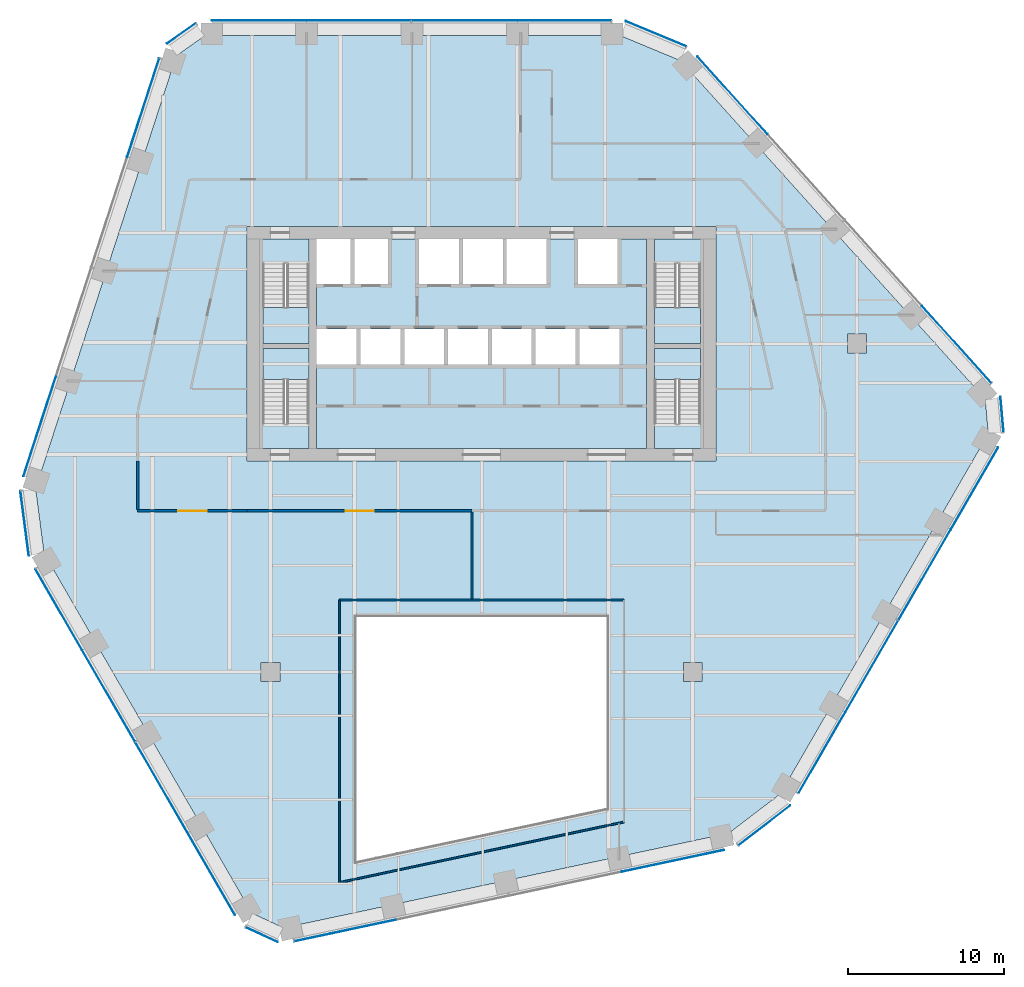
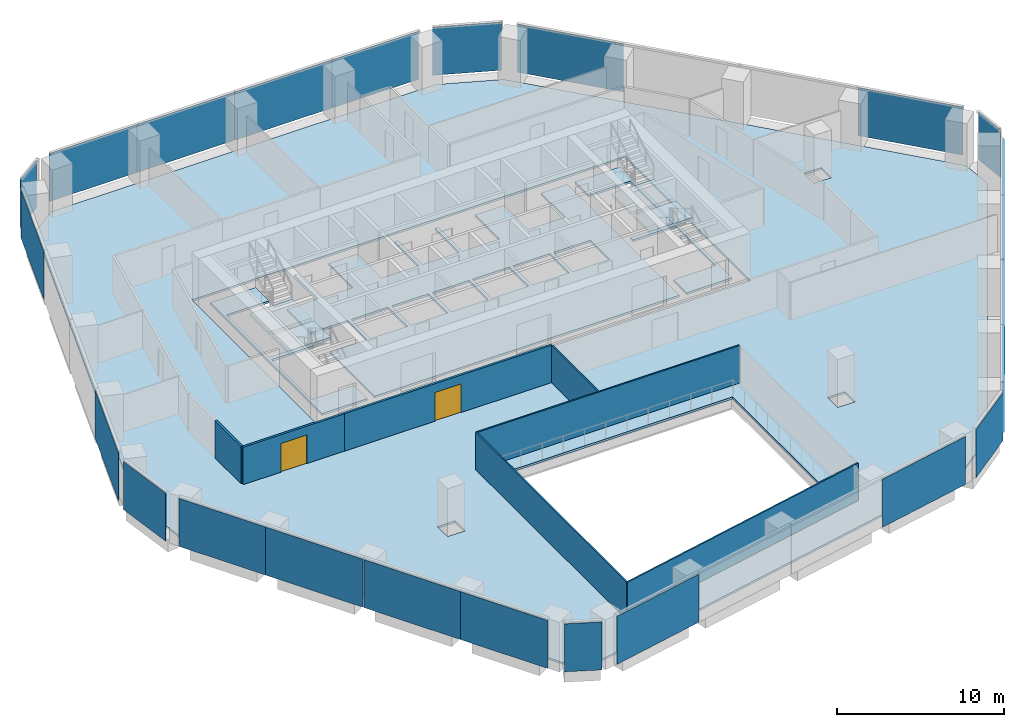
# One storey, part 10 of 16: 24 plates, 8 slabs, 7 walls, 2 doors, 2 openings, 16 elements without a shape of their own.
"""IFC4 building model written with IfcOpenShell, lengths in metres."""

import ifcopenshell
import ifcopenshell.guid

model = None  # the IFC model being written
_history = None  # IfcOwnerHistory: only IFC2X3 demands one
_inside = {}  # id of a spatial element -> (the spatial element, [elements in it])
_under = {}  # id of a project, library or spatial element -> (it, [spatial elements below it])
_declared = {}  # id of a project -> (the project, [libraries it declares])
_typed = {}  # id of a type object -> (the type object, [elements of that type])
_made_of = {}  # id of a material, layer set ... -> (it, [elements and type objects made of it])


def new_model(schema):
    """Start an empty IFC model of exactly this schema.

    Asked for "IFC4X3", IfcOpenShell would pick the latest addendum, in which some entities
    have other attributes; the version numbers below select the first issue.
    IFC2X3 requires an IfcOwnerHistory on every rooted entity: one is made here for all.
    """
    global model, _history
    if schema == "IFC4X3":
        model = ifcopenshell.file(schema_version=(4, 3, 0, 0))
    else:
        model = ifcopenshell.file(schema=schema)
    _inside.clear()
    _under.clear()
    _declared.clear()
    _typed.clear()
    _made_of.clear()
    _history = None
    if model.schema == "IFC2X3":
        org = make("IfcOrganization", Name="unknown")
        user = make(
            "IfcPersonAndOrganization",
            ThePerson=make("IfcPerson", FamilyName="unknown"),
            TheOrganization=org,
        )
        app = make(
            "IfcApplication",
            ApplicationDeveloper=org,
            Version="unknown",
            ApplicationFullName="unknown",
            ApplicationIdentifier="unknown",
        )
        _history = make(
            "IfcOwnerHistory",
            OwningUser=user,
            OwningApplication=app,
            ChangeAction="ADDED",
            CreationDate=0,
        )
    return model


def make(cls, **values):
    """One entity of the class cls with the attributes given. An attribute that is None is left unset."""
    return model.create_entity(
        cls, **{name: value for name, value in values.items() if value is not None}
    )


def rooted(cls, **values):
    """An entity with a GlobalId (a new one), such as an element, a storey or a relation."""
    return make(cls, GlobalId=ifcopenshell.guid.new(), OwnerHistory=_history, **values)


def si_unit(unit_type, name, prefix=None):
    """IfcSIUnit, for example si_unit("LENGTHUNIT", "METRE", prefix="MILLI")."""
    return make("IfcSIUnit", UnitType=unit_type, Prefix=prefix, Name=name)


def assignment(units):
    """IfcUnitAssignment: the units of a project."""
    return None if units is None else make("IfcUnitAssignment", Units=units)


def point(xyz):
    """IfcCartesianPoint."""
    return None if xyz is None else make("IfcCartesianPoint", Coordinates=xyz)


def direction(xyz):
    """IfcDirection."""
    return None if xyz is None else make("IfcDirection", DirectionRatios=xyz)


def frame(location, z_axis=None, x_axis=None):
    """IfcAxis2Placement3D, a coordinate frame: its origin and axes. An axis left out is left unset."""
    return make(
        "IfcAxis2Placement3D",
        Location=point(location),
        Axis=direction(z_axis),
        RefDirection=direction(x_axis),
    )


def frame_2d(location, x_axis=None):
    """IfcAxis2Placement2D, a coordinate frame in the plane: its origin and x axis."""
    return make(
        "IfcAxis2Placement2D", Location=point(location), RefDirection=direction(x_axis)
    )


def origin():
    """The frame at (0, 0, 0) with its axes left unset."""
    return frame((0.0, 0.0, 0.0))


def origin_2d():
    """The frame at (0, 0) in the plane with its x axis left unset."""
    return frame_2d((0.0, 0.0))


def place(relative_to, where):
    """IfcLocalPlacement: puts the frame where relative to a parent placement (None: the world)."""
    return make(
        "IfcLocalPlacement", PlacementRelTo=relative_to, RelativePlacement=where
    )


def context(
    kind, dimensions, precision=None, world=None, true_north=None, identifier=None
):
    """IfcGeometricRepresentationContext, for example the 3D "Model" context."""
    return make(
        "IfcGeometricRepresentationContext",
        ContextIdentifier=identifier,
        ContextType=kind,
        CoordinateSpaceDimension=dimensions,
        Precision=precision,
        WorldCoordinateSystem=world,
        TrueNorth=true_north,
    )


def subcontext(parent, identifier, kind, view, scale=None):
    """IfcGeometricRepresentationSubContext, for example "Body" below "Model"."""
    return make(
        "IfcGeometricRepresentationSubContext",
        ContextIdentifier=identifier,
        ContextType=kind,
        ParentContext=parent,
        TargetScale=scale,
        TargetView=view,
    )


def project(units=None, contexts=None):
    """IfcProject with its units and contexts."""
    return rooted(
        "IfcProject",
        Name="project",
        RepresentationContexts=contexts,
        UnitsInContext=assignment(units),
    )


def spatial(cls, under=None, at=None, **own):
    """A site, building, storey or space (cls), placed at a placement, below another one or the project."""
    s = rooted(cls, ObjectPlacement=at, **own)
    if under is not None:
        _under.setdefault(under.id(), (under, []))[1].append(s)
    return s


def polyline(points):
    """IfcPolyline through the points."""
    return make("IfcPolyline", Points=[point(p) for p in points])


def profile(cls, at=None, kind="AREA", **sizes):
    """A parametric profile (cls). Its sizes go by their IFC names, for example OverallWidth=200.0."""
    return make(cls, ProfileType=kind, Position=at, **sizes)


def rectangle(**sizes):
    """IfcRectangleProfileDef."""
    return profile("IfcRectangleProfileDef", **sizes)


def outline(outer, holes=None, kind="AREA"):
    """IfcArbitraryClosedProfileDef: a profile drawn as a closed curve; with holes, ...WithVoids."""
    if holes is None:
        return make("IfcArbitraryClosedProfileDef", ProfileType=kind, OuterCurve=outer)
    return make(
        "IfcArbitraryProfileDefWithVoids",
        ProfileType=kind,
        OuterCurve=outer,
        InnerCurves=holes,
    )


def extrude(swept, where, along, depth):
    """IfcExtrudedAreaSolid: the profile swept, set in the frame where, extruded along a direction by depth."""
    return make(
        "IfcExtrudedAreaSolid",
        SweptArea=swept,
        Position=where,
        ExtrudedDirection=direction(along),
        Depth=depth,
    )


def shape(context_of_items, identifier, shape_type, items):
    """IfcShapeRepresentation: the items that make up one representation, for example the "Body"."""
    return make(
        "IfcShapeRepresentation",
        ContextOfItems=context_of_items,
        RepresentationIdentifier=identifier,
        RepresentationType=shape_type,
        Items=items,
    )


def material(Name=None, Category=None):
    """IfcMaterial."""
    return make("IfcMaterial", Name=Name, Category=Category)


def layer(
    of_material, thickness, ventilated=None, Name=None, Category=None, Priority=None
):
    """IfcMaterialLayer: one layer of a wall or slab, of a material (None: an air gap)."""
    return make(
        "IfcMaterialLayer",
        Material=of_material,
        LayerThickness=thickness,
        IsVentilated=ventilated,
        Name=Name,
        Category=Category,
        Priority=Priority,
    )


def layer_set(layers, Name=None):
    """IfcMaterialLayerSet."""
    return make("IfcMaterialLayerSet", MaterialLayers=layers, LayerSetName=Name)


def made_of(thing, what):
    """Note that an element or type object is made of a material, layer set ...; save() writes the relation."""
    if what is not None:
        _made_of.setdefault(what.id(), (what, []))[1].append(thing)
    return thing


def type_object(cls, material=None, **own):
    """A type object (cls), such as IfcWallType, which elements share."""
    return made_of(rooted(cls, **own), material)


def element(
    cls,
    number,
    at=None,
    inside=None,
    cuts=None,
    type_object=None,
    material=None,
    context=None,
    identifier="Body",
    shape_type=None,
    held_by="IfcProductDefinitionShape",
    body=None,
    shapes=None,
    **own,
):
    """One element of the class cls, such as IfcWall. Its Tag is "e" and its number.

    at: its placement. inside: the storey or other place that contains it. cuts: it is an
    opening in that element (IfcRelVoidsElement). A single representation is given by context,
    identifier, shape_type and body (its items); several are given by shapes. held_by: the class
    of the entity that holds the representations. save() writes the other relations.
    """
    e = rooted(cls, Tag="e%d" % number, ObjectPlacement=at, **own)
    if body is not None:
        shapes = [shape(context, identifier, shape_type, body)]
    if shapes is not None:
        e.Representation = make(held_by, Representations=shapes)
    if inside is not None:
        _inside.setdefault(inside.id(), (inside, []))[1].append(e)
    if cuts is not None:
        rooted(
            "IfcRelVoidsElement", RelatingBuildingElement=cuts, RelatedOpeningElement=e
        )
    if type_object is not None:
        _typed.setdefault(type_object.id(), (type_object, []))[1].append(e)
    return made_of(e, material)


def fill(opening, filler):
    """IfcRelFillsElement: the door or window that sits in an opening."""
    return rooted(
        "IfcRelFillsElement",
        RelatingOpeningElement=opening,
        RelatedBuildingElement=filler,
    )


def aggregate(whole, parts):
    """IfcRelAggregates: a whole, such as a stair, and the parts it consists of."""
    return rooted("IfcRelAggregates", RelatingObject=whole, RelatedObjects=parts)


def save(model, path):
    """Write the relations noted so far, then the file.

    IfcRelAggregates (storeys below a building ...), IfcRelContainedInSpatialStructure (elements
    in a storey), IfcRelDefinesByType, IfcRelAssociatesMaterial and IfcRelDeclares: one each for
    every whole, place, type object, material and project.
    """
    for whole, parts in _under.values():
        aggregate(whole, parts)
    for where, things in _inside.values():
        rooted(
            "IfcRelContainedInSpatialStructure",
            RelatedElements=things,
            RelatingStructure=where,
        )
    for kind, things in _typed.values():
        rooted("IfcRelDefinesByType", RelatedObjects=things, RelatingType=kind)
    for what, things in _made_of.values():
        rooted("IfcRelAssociatesMaterial", RelatedObjects=things, RelatingMaterial=what)
    for by, libraries in _declared.values():
        rooted("IfcRelDeclares", RelatingContext=by, RelatedDefinitions=libraries)
    model.write(path)


model = new_model("IFC4")

# Units and contexts
model_context = context("Model", 3, precision=1e-05, world=origin(), true_north=direction((0.0, 1.0)))
body_context = subcontext(model_context, "Body", "Model", "MODEL_VIEW")
ifc_project = project(units=[si_unit("LENGTHUNIT", "METRE"), si_unit("AREAUNIT", "SQUARE_METRE"), si_unit("VOLUMEUNIT", "CUBIC_METRE"), si_unit("PLANEANGLEUNIT", "RADIAN"), si_unit("MASSUNIT", "GRAM", prefix="KILO")], contexts=[model_context])

# Site, building, storey
site_placement = place(None, origin())
site = spatial("IfcSite", under=ifc_project, at=site_placement, CompositionType="ELEMENT")
building_placement = place(site_placement, origin())
building = spatial("IfcBuilding", under=site, at=building_placement, Name="Isthmus Gate Tower", CompositionType="ELEMENT")
storey_placement = place(building_placement, frame((0.0, 0.0, 137.10009765625)))
storey = spatial("IfcBuildingStorey", under=building, at=storey_placement, Name="L33", CompositionType="ELEMENT", Elevation=137.10009765625)

# Slabs
ifc_material_1 = material(Name="Concrete f'c 40 MPa", Category="concrete")
ifc_layer_1 = layer(ifc_material_1, 0.14990234375)
ifc_layer_set_1 = layer_set([ifc_layer_1], Name="COMPOSITE FLOOR SLAB 150")
slab_type_1 = type_object("IfcSlabType", Name="COMPOSITE FLOOR SLAB 150", PredefinedType="FLOOR", material=ifc_layer_set_1)
slab_1_placement = place(storey_placement, frame((0.0, 0.0, -0.150146484375)))
element("IfcSlab", 1, at=slab_1_placement, inside=storey, type_object=slab_type_1, Name="str-slab-L33-1", PredefinedType="FLOOR", context=body_context, shape_type="SweptSolid", body=[
    extrude(outline(polyline([(12.72802734375, 25.599365234375), (32.21044921875, 3.9619140625), (32.410400390625, 1.736083984375), (19.116455078125, -21.289306640625), (15.8056640625, -23.822509765625), (-12.674072265625, -29.876220703125), (-14.701416015625, -28.936279296875), (-27.995361328125, -5.91064453125), (-28.53369140625, -1.77685546875), (-19.536376953125, 25.9140625), (-17.708740234375, 27.199951171875), (8.87890625, 27.199951171875), (12.72802734375, 25.599365234375)]), holes=[polyline([(-8.0, -10.0), (-8.0, -25.611083984375), (8.0, -22.210205078125), (8.0, -10.0), (-8.0, -10.0)]), polyline([(-14.10009765625, -12.89990234375), (-14.10009765625, -14.10009765625), (-12.89990234375, -14.10009765625), (-12.89990234375, -12.89990234375), (-14.10009765625, -12.89990234375)]), polyline([(14.10009765625, -12.89990234375), (12.89990234375, -12.89990234375), (12.89990234375, -14.10009765625), (14.10009765625, -14.10009765625), (14.10009765625, -12.89990234375)]), polyline([(-15.0, 15.0), (-15.0, 0.0), (15.0, 0.0), (15.0, 15.0), (-15.0, 15.0)]), polyline([(24.60009765625, 6.89990234375), (24.60009765625, 8.10009765625), (23.39990234375, 8.10009765625), (23.39990234375, 6.89990234375), (24.60009765625, 6.89990234375)])]), origin(), (0.0, 0.0, 1.0), 0.150146484375),
])
ifc_material_2 = material(Name="Concrete f'c 40 MPa", Category="concrete")
ifc_layer_2 = layer(ifc_material_2, 0.14990234375)
ifc_layer_set_2 = layer_set([ifc_layer_2], Name="CORE FLOOR SLAB 150")
slab_type_2 = type_object("IfcSlabType", Name="CORE FLOOR SLAB 150", PredefinedType="FLOOR", material=ifc_layer_set_2)
slab_2_placement = place(storey_placement, frame((0.0, 0.0, -0.150146484375)))
element("IfcSlab", 2, at=slab_2_placement, inside=storey, type_object=slab_type_2, Name="L33 core floor", PredefinedType="FLOOR", context=body_context, shape_type="SweptSolid", body=[
    extrude(outline(polyline([(-11.050048828125, 0.800048828125), (-11.050048828125, 2.402099609375), (-14.0, 2.402099609375), (-14.0, 7.199951171875), (-11.050048828125, 7.199951171875), (-11.050048828125, 7.5), (-14.0, 7.5), (-14.0, 12.597900390625), (-11.050048828125, 12.597900390625), (-11.050048828125, 14.199951171875), (-14.199951171875, 14.199951171875), (-14.199951171875, 0.800048828125), (-11.050048828125, 0.800048828125)])), origin(), (0.0, 0.0, 1.0), 0.150146484375),
])
slab_3_placement = place(storey_placement, frame((0.0, 0.0, -0.150146484375)))
element("IfcSlab", 3, at=slab_3_placement, inside=storey, type_object=slab_type_2, Name="L33 core floor", PredefinedType="FLOOR", context=body_context, shape_type="SweptSolid", body=[
    extrude(outline(polyline([(10.550048828125, 14.199951171875), (8.699951171875, 14.199951171875), (8.699951171875, 11.300048828125), (6.14990234375, 11.300048828125), (6.14990234375, 14.199951171875), (4.14990234375, 14.199951171875), (4.14990234375, 11.300048828125), (1.60009765625, 11.300048828125), (1.60009765625, 14.199951171875), (1.35009765625, 14.199951171875), (1.35009765625, 11.300048828125), (-1.199951171875, 11.300048828125), (-1.199951171875, 14.199951171875), (-1.449951171875, 14.199951171875), (-1.449951171875, 11.300048828125), (-4.0, 11.300048828125), (-4.0, 14.199951171875), (-6.0, 14.199951171875), (-6.0, 11.300048828125), (-8.14990234375, 11.300048828125), (-8.14990234375, 14.199951171875), (-8.39990234375, 14.199951171875), (-8.39990234375, 11.300048828125), (-10.550048828125, 11.300048828125), (-10.550048828125, 8.449951171875), (-8.0, 8.449951171875), (-8.0, 6.14990234375), (-10.550048828125, 6.14990234375), (-10.550048828125, 0.800048828125), (10.550048828125, 0.800048828125), (10.550048828125, 14.199951171875)]), holes=[polyline([(-5.199951171875, 8.449951171875), (-5.199951171875, 6.14990234375), (-7.75, 6.14990234375), (-7.75, 8.449951171875), (-5.199951171875, 8.449951171875)]), polyline([(-2.39990234375, 8.449951171875), (-2.39990234375, 6.14990234375), (-4.949951171875, 6.14990234375), (-4.949951171875, 8.449951171875), (-2.39990234375, 8.449951171875)]), polyline([(0.39990234375, 8.449951171875), (0.39990234375, 6.14990234375), (-2.14990234375, 6.14990234375), (-2.14990234375, 8.449951171875), (0.39990234375, 8.449951171875)]), polyline([(3.199951171875, 8.449951171875), (3.199951171875, 6.14990234375), (0.64990234375, 6.14990234375), (0.64990234375, 8.449951171875), (3.199951171875, 8.449951171875)]), polyline([(6.0, 8.449951171875), (6.0, 6.14990234375), (3.449951171875, 6.14990234375), (3.449951171875, 8.449951171875), (6.0, 8.449951171875)]), polyline([(8.800048828125, 8.449951171875), (8.800048828125, 6.14990234375), (6.25, 6.14990234375), (6.25, 8.449951171875), (8.800048828125, 8.449951171875)])]), origin(), (0.0, 0.0, 1.0), 0.150146484375),
])
slab_4_placement = place(storey_placement, frame((0.0, 0.0, -0.150146484375)))
element("IfcSlab", 4, at=slab_4_placement, inside=storey, type_object=slab_type_2, Name="L33 core floor", PredefinedType="FLOOR", context=body_context, shape_type="SweptSolid", body=[
    extrude(outline(polyline([(11.050048828125, 14.199951171875), (11.050048828125, 12.597900390625), (14.0, 12.597900390625), (14.0, 7.5), (11.050048828125, 7.5), (11.050048828125, 7.199951171875), (14.0, 7.199951171875), (14.0, 2.402099609375), (11.050048828125, 2.402099609375), (11.050048828125, 0.800048828125), (14.199951171875, 0.800048828125), (14.199951171875, 14.199951171875), (11.050048828125, 14.199951171875)])), origin(), (0.0, 0.0, 1.0), 0.150146484375),
])

# Curtain wall, plates
ifc_material_3 = material(Name="Aluminium, pale champagne anodised", Category="aluminium")
ifc_layer_3 = layer(ifc_material_3, 0.199951171875)
ifc_layer_set_3 = layer_set([ifc_layer_3], Name="CW-1 UNITISED CURTAIN WALL 200 DEEP")
curtain_wall_type = type_object("IfcCurtainWallType", Name="CW-1 UNITISED CURTAIN WALL 200 DEEP", PredefinedType="NOTDEFINED", material=ifc_layer_set_3)
curtain_wall_1_placement = place(storey_placement, origin())
curtain_wall_1 = element("IfcCurtainWall", 5, at=curtain_wall_1_placement, inside=storey, type_object=curtain_wall_type, Name="CW-1 N L33", PredefinedType="NOTDEFINED")
ifc_material_4 = material(Name="Laminated low-iron glass, pale blue tint", Category="glass")
ifc_layer_4 = layer(ifc_material_4, 0.035888671875)
ifc_layer_set_4 = layer_set([ifc_layer_4], Name="CW-1 CLEAR GLASS LITE 36")
plate_type = type_object("IfcPlateType", Name="CW-1 CLEAR GLASS LITE 36", PredefinedType="CURTAIN_PANEL", material=ifc_layer_set_4)
plate_1_placement = place(storey_placement, frame((5.283447265625, 28.181884765625, 0.0), z_axis=(0.0, 0.0, 1.0), x_axis=(-1.0, 0.0, 0.0)))
plate_1 = element("IfcPlate", 6, at=plate_1_placement, type_object=plate_type, Name="CW-1 glass lite", PredefinedType="CURTAIN_PANEL", context=body_context, shape_type="SweptSolid", body=[
    extrude(rectangle(XDim=5.990234375, YDim=0.035888671875, at=origin_2d()), origin(), (0.0, 0.0, 1.0), 3.510009765625),
])
plate_2_placement = place(storey_placement, frame((-1.086669921875, 28.181884765625, 0.0), z_axis=(0.0, 0.0, 1.0), x_axis=(-1.0, 0.0, 0.0)))
plate_2 = element("IfcPlate", 7, at=plate_2_placement, type_object=plate_type, Name="CW-1 glass lite", PredefinedType="CURTAIN_PANEL", context=body_context, shape_type="SweptSolid", body=[
    extrude(rectangle(XDim=6.750244140625, YDim=0.035888671875, at=origin_2d()), origin(), (0.0, 0.0, 1.0), 3.510009765625),
])
plate_3_placement = place(storey_placement, frame((-7.86669921875, 28.181884765625, 0.0), z_axis=(0.0, 0.0, 1.0), x_axis=(-1.0, 0.0, 0.0)))
plate_3 = element("IfcPlate", 8, at=plate_3_placement, type_object=plate_type, Name="CW-1 glass lite", PredefinedType="CURTAIN_PANEL", context=body_context, shape_type="SweptSolid", body=[
    extrude(rectangle(XDim=6.690185546875, YDim=0.035888671875, at=origin_2d()), origin(), (0.0, 0.0, 1.0), 3.510009765625),
])
plate_4_placement = place(storey_placement, frame((-14.23681640625, 28.181884765625, 0.0), z_axis=(0.0, 0.0, 1.0), x_axis=(-1.0, 0.0, 0.0)))
plate_4 = element("IfcPlate", 9, at=plate_4_placement, type_object=plate_type, Name="CW-1 glass lite", PredefinedType="CURTAIN_PANEL", context=body_context, shape_type="SweptSolid", body=[
    extrude(rectangle(XDim=6.050048828125, YDim=0.035888671875, at=origin_2d()), origin(), (0.0, 0.0, 1.0), 3.510009765625),
])
aggregate(curtain_wall_1, [plate_1, plate_2, plate_3, plate_4])

# Curtain wall, plate
curtain_wall_2_placement = place(storey_placement, origin())
curtain_wall_2 = element("IfcCurtainWall", 10, at=curtain_wall_2_placement, inside=storey, type_object=curtain_wall_type, Name="CW-1 N-NW L33", PredefinedType="NOTDEFINED")
plate_5_placement = place(storey_placement, frame((-19.2119140625, 27.343017578125, 0.0), z_axis=(0.0, 0.0, 1.0), x_axis=(-0.81785959165, -0.57541783805, 0.0)))
plate_5 = element("IfcPlate", 11, at=plate_5_placement, type_object=plate_type, Name="CW-1 glass lite", PredefinedType="CURTAIN_PANEL", context=body_context, shape_type="SweptSolid", body=[
    extrude(rectangle(XDim=2.258544921875, YDim=0.035888671875, at=origin_2d()), origin(), (0.0, 0.0, 1.0), 3.510009765625),
])
aggregate(curtain_wall_2, [plate_5])

# Curtain wall, plates
curtain_wall_3_placement = place(storey_placement, origin())
curtain_wall_3 = element("IfcCurtainWall", 12, at=curtain_wall_3_placement, inside=storey, type_object=curtain_wall_type, Name="CW-1 NW L33", PredefinedType="NOTDEFINED")
plate_6_placement = place(storey_placement, frame((-21.647216796875, 22.59521484375, 0.0), z_axis=(0.0, 0.0, 1.0), x_axis=(-0.309016994375, -0.951056516295, 0.0)))
plate_6 = element("IfcPlate", 13, at=plate_6_placement, type_object=plate_type, Name="CW-1 glass lite", PredefinedType="CURTAIN_PANEL", context=body_context, shape_type="SweptSolid", body=[
    extrude(rectangle(XDim=6.630859375, YDim=0.035888671875, at=origin_2d()), origin(), (0.0, 0.0, 1.0), 3.510009765625),
])
plate_7_placement = place(storey_placement, frame((-28.2734375, 2.202392578125, 0.0), z_axis=(0.0, 0.0, 1.0), x_axis=(-0.309016994375, -0.951056516295, 0.0)))
plate_7 = element("IfcPlate", 14, at=plate_7_placement, type_object=plate_type, Name="CW-1 glass lite", PredefinedType="CURTAIN_PANEL", context=body_context, shape_type="SweptSolid", body=[
    extrude(rectangle(XDim=6.690673828125, YDim=0.035888671875, at=origin_2d()), origin(), (0.0, 0.0, 1.0), 3.510009765625),
])
aggregate(curtain_wall_3, [plate_6, plate_7])

# Curtain wall, plate
curtain_wall_4_placement = place(storey_placement, origin())
curtain_wall_4 = element("IfcCurtainWall", 15, at=curtain_wall_4_placement, inside=storey, type_object=curtain_wall_type, Name="CW-1 NW-SW L33", PredefinedType="NOTDEFINED")
plate_8_placement = place(storey_placement, frame((-29.234619140625, -3.9990234375, 0.0), z_axis=(0.0, 0.0, 1.0), x_axis=(0.129164534, -0.991623175988, 0.0)))
plate_8 = element("IfcPlate", 16, at=plate_8_placement, type_object=plate_type, Name="CW-1 glass lite", PredefinedType="CURTAIN_PANEL", context=body_context, shape_type="SweptSolid", body=[
    extrude(rectangle(XDim=4.181396484375, YDim=0.035888671875, at=origin_2d()), origin(), (0.0, 0.0, 1.0), 3.510009765625),
])
aggregate(curtain_wall_4, [plate_8])

# Curtain wall, plates
curtain_wall_5_placement = place(storey_placement, origin())
curtain_wall_5 = element("IfcCurtainWall", 17, at=curtain_wall_5_placement, inside=storey, type_object=curtain_wall_type, Name="CW-1 SW L33", PredefinedType="NOTDEFINED")
plate_9_placement = place(storey_placement, frame((-27.048095703125, -9.515380859375, 0.0), z_axis=(0.0, 0.0, 1.0), x_axis=(0.5, -0.866025403784, 0.0)))
plate_9 = element("IfcPlate", 18, at=plate_9_placement, type_object=plate_type, Name="CW-1 glass lite", PredefinedType="CURTAIN_PANEL", context=body_context, shape_type="SweptSolid", body=[
    extrude(rectangle(XDim=5.990234375, YDim=0.035888671875, at=origin_2d()), origin(), (0.0, 0.0, 1.0), 3.510009765625),
])
plate_10_placement = place(storey_placement, frame((-23.863037109375, -15.031982421875, 0.0), z_axis=(0.0, 0.0, 1.0), x_axis=(0.5, -0.866025403784, 0.0)))
plate_10 = element("IfcPlate", 19, at=plate_10_placement, type_object=plate_type, Name="CW-1 glass lite", PredefinedType="CURTAIN_PANEL", context=body_context, shape_type="SweptSolid", body=[
    extrude(rectangle(XDim=6.750244140625, YDim=0.035888671875, at=origin_2d()), origin(), (0.0, 0.0, 1.0), 3.510009765625),
])
plate_11_placement = place(storey_placement, frame((-20.472900390625, -20.90380859375, 0.0), z_axis=(0.0, 0.0, 1.0), x_axis=(0.5, -0.866025403784, 0.0)))
plate_11 = element("IfcPlate", 20, at=plate_11_placement, type_object=plate_type, Name="CW-1 glass lite", PredefinedType="CURTAIN_PANEL", context=body_context, shape_type="SweptSolid", body=[
    extrude(rectangle(XDim=6.690185546875, YDim=0.035888671875, at=origin_2d()), origin(), (0.0, 0.0, 1.0), 3.510009765625),
])
plate_12_placement = place(storey_placement, frame((-17.287841796875, -26.42041015625, 0.0), z_axis=(0.0, 0.0, 1.0), x_axis=(0.5, -0.866025403784, 0.0)))
plate_12 = element("IfcPlate", 21, at=plate_12_placement, type_object=plate_type, Name="CW-1 glass lite", PredefinedType="CURTAIN_PANEL", context=body_context, shape_type="SweptSolid", body=[
    extrude(rectangle(XDim=6.050048828125, YDim=0.035888671875, at=origin_2d()), origin(), (0.0, 0.0, 1.0), 3.510009765625),
])
aggregate(curtain_wall_5, [plate_9, plate_10, plate_11, plate_12])

# Curtain wall, plate
curtain_wall_6_placement = place(storey_placement, origin())
curtain_wall_6 = element("IfcCurtainWall", 22, at=curtain_wall_6_placement, inside=storey, type_object=curtain_wall_type, Name="CW-1 SW-S L33", PredefinedType="NOTDEFINED")
plate_13_placement = place(storey_placement, frame((-14.07373046875, -30.3095703125, 0.0), z_axis=(0.0, 0.0, 1.0), x_axis=(0.907256261367, -0.420578264073, 0.0)))
plate_13 = element("IfcPlate", 23, at=plate_13_placement, type_object=plate_type, Name="CW-1 glass lite", PredefinedType="CURTAIN_PANEL", context=body_context, shape_type="SweptSolid", body=[
    extrude(rectangle(XDim=2.258544921875, YDim=0.035888671875, at=origin_2d()), origin(), (0.0, 0.0, 1.0), 3.510009765625),
])
aggregate(curtain_wall_6, [plate_13])

# Curtain wall, plates
curtain_wall_7_placement = place(storey_placement, origin())
curtain_wall_7 = element("IfcCurtainWall", 24, at=curtain_wall_7_placement, inside=storey, type_object=curtain_wall_type, Name="CW-1 S L33", PredefinedType="NOTDEFINED")
plate_14_placement = place(storey_placement, frame((-8.744384765625, -30.044677734375, 0.0), z_axis=(0.0, 0.0, 1.0), x_axis=(0.978147600734, 0.207911690818, 0.0)))
plate_14 = element("IfcPlate", 25, at=plate_14_placement, type_object=plate_type, Name="CW-1 glass lite", PredefinedType="CURTAIN_PANEL", context=body_context, shape_type="SweptSolid", body=[
    extrude(rectangle(XDim=6.630859375, YDim=0.035888671875, at=origin_2d()), origin(), (0.0, 0.0, 1.0), 3.510009765625),
])
plate_15_placement = place(storey_placement, frame((12.2294921875, -25.586669921875, 0.0), z_axis=(0.0, 0.0, 1.0), x_axis=(0.978147600734, 0.207911690818, 0.0)))
plate_15 = element("IfcPlate", 26, at=plate_15_placement, type_object=plate_type, Name="CW-1 glass lite", PredefinedType="CURTAIN_PANEL", context=body_context, shape_type="SweptSolid", body=[
    extrude(rectangle(XDim=6.690673828125, YDim=0.035888671875, at=origin_2d()), origin(), (0.0, 0.0, 1.0), 3.510009765625),
])
aggregate(curtain_wall_7, [plate_14, plate_15])

# Curtain wall, plate
curtain_wall_8_placement = place(storey_placement, origin())
curtain_wall_8 = element("IfcCurtainWall", 27, at=curtain_wall_8_placement, inside=storey, type_object=curtain_wall_type, Name="CW-1 S-SE L33", PredefinedType="NOTDEFINED")
plate_16_placement = place(storey_placement, frame((18.08056640625, -23.318359375, 0.0), z_axis=(0.0, 0.0, 1.0), x_axis=(0.794188594387, 0.607671355706, 0.0)))
plate_16 = element("IfcPlate", 28, at=plate_16_placement, type_object=plate_type, Name="CW-1 glass lite", PredefinedType="CURTAIN_PANEL", context=body_context, shape_type="SweptSolid", body=[
    extrude(rectangle(XDim=4.181396484375, YDim=0.035888671875, at=origin_2d()), origin(), (0.0, 0.0, 1.0), 3.510009765625),
])
aggregate(curtain_wall_8, [plate_16])

# Curtain wall, plates
curtain_wall_9_placement = place(storey_placement, origin())
curtain_wall_9 = element("IfcCurtainWall", 29, at=curtain_wall_9_placement, inside=storey, type_object=curtain_wall_type, Name="CW-1 SE L33", PredefinedType="NOTDEFINED")
plate_17_placement = place(storey_placement, frame((21.7646484375, -18.666748046875, 0.0), z_axis=(0.0, 0.0, 1.0), x_axis=(0.5, 0.866025403784, 0.0)))
plate_17 = element("IfcPlate", 30, at=plate_17_placement, type_object=plate_type, Name="CW-1 glass lite", PredefinedType="CURTAIN_PANEL", context=body_context, shape_type="SweptSolid", body=[
    extrude(rectangle(XDim=5.990234375, YDim=0.035888671875, at=origin_2d()), origin(), (0.0, 0.0, 1.0), 3.510009765625),
])
plate_18_placement = place(storey_placement, frame((24.94970703125, -13.14990234375, 0.0), z_axis=(0.0, 0.0, 1.0), x_axis=(0.5, 0.866025403784, 0.0)))
plate_18 = element("IfcPlate", 31, at=plate_18_placement, type_object=plate_type, Name="CW-1 glass lite", PredefinedType="CURTAIN_PANEL", context=body_context, shape_type="SweptSolid", body=[
    extrude(rectangle(XDim=6.750244140625, YDim=0.035888671875, at=origin_2d()), origin(), (0.0, 0.0, 1.0), 3.510009765625),
])
plate_19_placement = place(storey_placement, frame((28.339599609375, -7.278076171875, 0.0), z_axis=(0.0, 0.0, 1.0), x_axis=(0.5, 0.866025403784, 0.0)))
plate_19 = element("IfcPlate", 32, at=plate_19_placement, type_object=plate_type, Name="CW-1 glass lite", PredefinedType="CURTAIN_PANEL", context=body_context, shape_type="SweptSolid", body=[
    extrude(rectangle(XDim=6.690185546875, YDim=0.035888671875, at=origin_2d()), origin(), (0.0, 0.0, 1.0), 3.510009765625),
])
plate_20_placement = place(storey_placement, frame((31.524658203125, -1.761474609375, 0.0), z_axis=(0.0, 0.0, 1.0), x_axis=(0.5, 0.866025403784, 0.0)))
plate_20 = element("IfcPlate", 33, at=plate_20_placement, type_object=plate_type, Name="CW-1 glass lite", PredefinedType="CURTAIN_PANEL", context=body_context, shape_type="SweptSolid", body=[
    extrude(rectangle(XDim=6.050048828125, YDim=0.035888671875, at=origin_2d()), origin(), (0.0, 0.0, 1.0), 3.510009765625),
])
aggregate(curtain_wall_9, [plate_17, plate_18, plate_19, plate_20])

# Curtain wall, plate
curtain_wall_10_placement = place(storey_placement, origin())
curtain_wall_10 = element("IfcCurtainWall", 34, at=curtain_wall_10_placement, inside=storey, type_object=curtain_wall_type, Name="CW-1 SE-NE L33", PredefinedType="NOTDEFINED")
plate_21_placement = place(storey_placement, frame((33.285888671875, 2.966552734375, 0.0), z_axis=(0.0, 0.0, 1.0), x_axis=(-0.089396669717, 0.995996102123, 0.0)))
plate_21 = element("IfcPlate", 35, at=plate_21_placement, type_object=plate_type, Name="CW-1 glass lite", PredefinedType="CURTAIN_PANEL", context=body_context, shape_type="SweptSolid", body=[
    extrude(rectangle(XDim=2.258544921875, YDim=0.035888671875, at=origin_2d()), origin(), (0.0, 0.0, 1.0), 3.510009765625),
])
aggregate(curtain_wall_10, [plate_21])

# Curtain wall, plates
curtain_wall_11_placement = place(storey_placement, origin())
curtain_wall_11 = element("IfcCurtainWall", 36, at=curtain_wall_11_placement, inside=storey, type_object=curtain_wall_type, Name="CW-1 NE L33", PredefinedType="NOTDEFINED")
plate_22_placement = place(storey_placement, frame((30.3916015625, 7.449462890625, 0.0), z_axis=(0.0, 0.0, 1.0), x_axis=(-0.669130606359, 0.743144825477, 0.0)))
plate_22 = element("IfcPlate", 37, at=plate_22_placement, type_object=plate_type, Name="CW-1 glass lite", PredefinedType="CURTAIN_PANEL", context=body_context, shape_type="SweptSolid", body=[
    extrude(rectangle(XDim=6.630859375, YDim=0.035888671875, at=origin_2d()), origin(), (0.0, 0.0, 1.0), 3.510009765625),
])
plate_23_placement = place(storey_placement, frame((16.0439453125, 23.38427734375, 0.0), z_axis=(0.0, 0.0, 1.0), x_axis=(-0.669130606359, 0.743144825477, 0.0)))
plate_23 = element("IfcPlate", 38, at=plate_23_placement, type_object=plate_type, Name="CW-1 glass lite", PredefinedType="CURTAIN_PANEL", context=body_context, shape_type="SweptSolid", body=[
    extrude(rectangle(XDim=6.690673828125, YDim=0.035888671875, at=origin_2d()), origin(), (0.0, 0.0, 1.0), 3.510009765625),
])
aggregate(curtain_wall_11, [plate_22, plate_23])

# Curtain wall, plate
curtain_wall_12_placement = place(storey_placement, origin())
curtain_wall_12 = element("IfcCurtainWall", 39, at=curtain_wall_12_placement, inside=storey, type_object=curtain_wall_type, Name="CW-1 NE-N L33", PredefinedType="NOTDEFINED")
plate_24_placement = place(storey_placement, frame((11.154052734375, 27.3173828125, 0.0), z_axis=(0.0, 0.0, 1.0), x_axis=(-0.923353128387, 0.383951820282, 0.0)))
plate_24 = element("IfcPlate", 40, at=plate_24_placement, type_object=plate_type, Name="CW-1 glass lite", PredefinedType="CURTAIN_PANEL", context=body_context, shape_type="SweptSolid", body=[
    extrude(rectangle(XDim=4.181396484375, YDim=0.035888671875, at=origin_2d()), origin(), (0.0, 0.0, 1.0), 3.510009765625),
])
aggregate(curtain_wall_12, [plate_24])

# Stair, slab
ifc_material_5 = material(Name="Concrete f'c 40 MPa", Category="concrete")
stair_type = type_object("IfcStairType", Name="CORE STAIR 22 RISERS", PredefinedType="HALF_TURN_STAIR", material=ifc_material_5)
stair_1_placement = place(storey_placement, origin())
stair_1 = element("IfcStair", 41, at=stair_1_placement, inside=storey, type_object=stair_type, Name="L33 Exit Stair 1", PredefinedType="HALF_TURN_STAIR")
ifc_material_6 = material(Name="Concrete f'c 40 MPa", Category="concrete")
ifc_layer_5 = layer(ifc_material_6, 0.199951171875)
ifc_layer_set_5 = layer_set([ifc_layer_5])
slab_type_3 = type_object("IfcSlabType", Name="STAIR LANDING RC 200", PredefinedType="LANDING", material=ifc_layer_set_5)
slab_5_placement = place(storey_placement, frame((0.0, 0.0, 1.625)))
slab_5 = element("IfcSlab", 42, at=slab_5_placement, type_object=slab_type_3, Name="ST1 landing 1", PredefinedType="LANDING", context=body_context, shape_type="SweptSolid", body=[
    extrude(outline(polyline([(-14.0, 9.800048828125), (-14.0, 7.5), (-11.050048828125, 7.5), (-11.050048828125, 9.800048828125), (-14.0, 9.800048828125)])), origin(), (0.0, 0.0, 1.0), 0.199951171875),
])
aggregate(stair_1, [slab_5])

stair_2_placement = place(storey_placement, origin())
stair_2 = element("IfcStair", 43, at=stair_2_placement, inside=storey, type_object=stair_type, Name="L33 Exit Stair 2", PredefinedType="HALF_TURN_STAIR")
slab_6_placement = place(storey_placement, frame((0.0, 0.0, 1.625)))
slab_6 = element("IfcSlab", 44, at=slab_6_placement, type_object=slab_type_3, Name="ST2 landing 1", PredefinedType="LANDING", context=body_context, shape_type="SweptSolid", body=[
    extrude(outline(polyline([(11.050048828125, 9.800048828125), (11.050048828125, 7.5), (14.0, 7.5), (14.0, 9.800048828125), (11.050048828125, 9.800048828125)])), origin(), (0.0, 0.0, 1.0), 0.199951171875),
])
aggregate(stair_2, [slab_6])

stair_3_placement = place(storey_placement, origin())
stair_3 = element("IfcStair", 45, at=stair_3_placement, inside=storey, type_object=stair_type, Name="L33 Exit Stair 7", PredefinedType="HALF_TURN_STAIR")
slab_7_placement = place(storey_placement, frame((0.0, 0.0, 1.625)))
slab_7 = element("IfcSlab", 46, at=slab_7_placement, type_object=slab_type_3, Name="ST7 landing 1", PredefinedType="LANDING", context=body_context, shape_type="SweptSolid", body=[
    extrude(outline(polyline([(-11.050048828125, 5.199951171875), (-11.050048828125, 7.199951171875), (-14.0, 7.199951171875), (-14.0, 5.199951171875), (-11.050048828125, 5.199951171875)])), origin(), (0.0, 0.0, 1.0), 0.199951171875),
])
aggregate(stair_3, [slab_7])

stair_4_placement = place(storey_placement, origin())
stair_4 = element("IfcStair", 47, at=stair_4_placement, inside=storey, type_object=stair_type, Name="L33 Exit Stair 8", PredefinedType="HALF_TURN_STAIR")
slab_8_placement = place(storey_placement, frame((0.0, 0.0, 1.625)))
slab_8 = element("IfcSlab", 48, at=slab_8_placement, type_object=slab_type_3, Name="ST8 landing 1", PredefinedType="LANDING", context=body_context, shape_type="SweptSolid", body=[
    extrude(outline(polyline([(14.0, 5.199951171875), (14.0, 7.199951171875), (11.050048828125, 7.199951171875), (11.050048828125, 5.199951171875), (14.0, 5.199951171875)])), origin(), (0.0, 0.0, 1.0), 0.199951171875),
])
aggregate(stair_4, [slab_8])

# Walls
ifc_material_7 = material(Name="Fire-rated laminated glass in steel frame", Category="steel")
ifc_layer_6 = layer(ifc_material_7, 0.10009765625)
ifc_layer_set_6 = layer_set([ifc_layer_6], Name="ATRIUM SCREEN GLAZED WALL 100 120 MIN")
wall_type_1 = type_object("IfcWallType", Name="ATRIUM SCREEN GLAZED WALL 100 120 MIN", PredefinedType="PARTITIONING", material=ifc_layer_set_6)
wall_1_placement = place(storey_placement, frame((-9.10009765625, -8.89990234375, 0.0), z_axis=(0.0, 0.0, 1.0), x_axis=(1.0, 0.0, 0.0)))
element("IfcWall", 49, at=wall_1_placement, inside=storey, type_object=wall_type_1, Name="L33 atrium screen", PredefinedType="PARTITIONING", context=body_context, shape_type="SweptSolid", body=[
    extrude(rectangle(XDim=18.2001953125, YDim=0.10009765625, at=frame_2d((9.10009765625, 0.0))), origin(), (0.0, 0.0, 1.0), 2.7412109375),
])
wall_2_placement = place(storey_placement, frame((9.10009765625, -23.100830078125, 0.0), z_axis=(0.0, 0.0, 1.0), x_axis=(-0.978146710971, -0.207915876778, 0.0)))
element("IfcWall", 50, at=wall_2_placement, inside=storey, type_object=wall_type_1, Name="L33 atrium screen", PredefinedType="PARTITIONING", context=body_context, shape_type="SweptSolid", body=[
    extrude(rectangle(XDim=18.60693359375, YDim=0.10009765625, at=frame_2d((9.303466796875, 0.0))), origin(), (0.0, 0.0, 1.0), 2.7412109375),
])
wall_3_placement = place(storey_placement, frame((-9.10009765625, -26.969482421875, 0.0), z_axis=(0.0, 0.0, 1.0), x_axis=(0.0, 1.0, 0.0)))
element("IfcWall", 51, at=wall_3_placement, inside=storey, type_object=wall_type_1, Name="L33 atrium screen", PredefinedType="PARTITIONING", context=body_context, shape_type="SweptSolid", body=[
    extrude(rectangle(XDim=18.069580078125, YDim=0.10009765625, at=frame_2d((9.03466796875, 0.0))), origin(), (0.0, 0.0, 1.0), 2.7412109375),
])

# Wall, opening, door
ifc_material_8 = material(Name="Gypsum board on steel studs, fire-rated", Category="steel")
ifc_layer_7 = layer(ifc_material_8, 0.14990234375)
ifc_layer_set_7 = layer_set([ifc_layer_7], Name="CORRIDOR WALL 150 60 MIN")
wall_type_2 = type_object("IfcWallType", Name="CORRIDOR WALL 150 60 MIN", PredefinedType="PARTITIONING", material=ifc_layer_set_7)
wall_4_placement = place(storey_placement, frame((-0.616943359375, -3.199951171875, 0.0), z_axis=(0.0, 0.0, 1.0), x_axis=(-1.0, 0.0, 0.0)))
wall_4 = element("IfcWall", 52, at=wall_4_placement, inside=storey, type_object=wall_type_2, Name="L33 Corridor Wall 150 60 Min", PredefinedType="PARTITIONING", context=body_context, shape_type="SweptSolid", body=[
    extrude(rectangle(XDim=14.383056640625, YDim=0.14990234375, at=frame_2d((7.19140625, 0.0))), origin(), (0.0, 0.0, 1.0), 2.7412109375),
])
opening_1_placement = place(wall_4_placement, frame((6.29150390625, 0.0, 0.0)))
opening_1 = element("IfcOpeningElement", 53, at=opening_1_placement, cuts=wall_4, Name="Opening DT-T3B-11", PredefinedType="OPENING", context=body_context, shape_type="SweptSolid", body=[
    extrude(rectangle(XDim=1.800048828125, YDim=2.10009765625, at=frame_2d((0.89990234375, 1.050048828125))), frame((0.0, 0.0849609375, 0.0), z_axis=(0.0, -1.0, 0.0), x_axis=(1.0, 0.0, 0.0)), (0.0, 0.0, 1.0), 0.169921875),
])
ifc_material_9 = material(Name="Solid core timber door leaf, fire-rated", Category="wood")
door_type = type_object("IfcDoorType", Name="FIRE DOOR ROOM 1800 X 2100 60 MIN", OperationType="DOUBLE_DOOR_DOUBLE_SWING", PredefinedType="DOOR", material=ifc_material_9)
door_1_placement = place(opening_1_placement, origin())
door_1 = element("IfcDoor", 54, at=door_1_placement, inside=storey, type_object=door_type, Name="L33 room door", OperationType="DOUBLE_DOOR_DOUBLE_SWING", OverallHeight=2.10009765625, OverallWidth=1.800048828125, PredefinedType="DOOR", context=body_context, shape_type="SweptSolid", body=[
    extrude(rectangle(XDim=1.800048828125, YDim=2.10009765625, at=frame_2d((0.89990234375, 1.050048828125))), frame((0.0, 0.02490234375, 0.0), z_axis=(0.0, -1.0, 0.0), x_axis=(1.0, 0.0, 0.0)), (0.0, 0.0, 1.0), 0.050048828125),
])
fill(opening_1, door_1)

wall_5_placement = place(storey_placement, frame((-15.0, -3.199951171875, 0.0), z_axis=(0.0, 0.0, 1.0), x_axis=(-1.0, 0.0, 0.0)))
wall_5 = element("IfcWall", 55, at=wall_5_placement, inside=storey, type_object=wall_type_2, Name="L33 Corridor Wall 150 60 Min", PredefinedType="PARTITIONING", context=body_context, shape_type="SweptSolid", body=[
    extrude(rectangle(XDim=7.0, YDim=0.14990234375, at=frame_2d((3.5, 0.0))), origin(), (0.0, 0.0, 1.0), 2.7412109375),
])
opening_2_placement = place(wall_5_placement, frame((2.60009765625, 0.0, 0.0)))
opening_2 = element("IfcOpeningElement", 56, at=opening_2_placement, cuts=wall_5, Name="Opening DT-T3B-12", PredefinedType="OPENING", context=body_context, shape_type="SweptSolid", body=[
    extrude(rectangle(XDim=1.800048828125, YDim=2.10009765625, at=frame_2d((0.89990234375, 1.050048828125))), frame((0.0, 0.0849609375, 0.0), z_axis=(0.0, -1.0, 0.0), x_axis=(1.0, 0.0, 0.0)), (0.0, 0.0, 1.0), 0.169921875),
])
door_2_placement = place(opening_2_placement, origin())
door_2 = element("IfcDoor", 57, at=door_2_placement, inside=storey, type_object=door_type, Name="L33 room door", OperationType="DOUBLE_DOOR_DOUBLE_SWING", OverallHeight=2.10009765625, OverallWidth=1.800048828125, PredefinedType="DOOR", context=body_context, shape_type="SweptSolid", body=[
    extrude(rectangle(XDim=1.800048828125, YDim=2.10009765625, at=frame_2d((0.89990234375, 1.050048828125))), frame((0.0, 0.02490234375, 0.0), z_axis=(0.0, -1.0, 0.0), x_axis=(1.0, 0.0, 0.0)), (0.0, 0.0, 1.0), 0.050048828125),
])
fill(opening_2, door_2)

# Walls
wall_6_placement = place(storey_placement, frame((-22.0, -3.125, 0.0), z_axis=(0.0, 0.0, 1.0), x_axis=(0.0, 1.0, 0.0)))
element("IfcWall", 58, at=wall_6_placement, inside=storey, type_object=wall_type_2, Name="L33 Corridor Wall 150 60 Min", PredefinedType="PARTITIONING", context=body_context, shape_type="SweptSolid", body=[
    extrude(rectangle(XDim=3.125, YDim=0.14990234375, at=frame_2d((1.5625, 0.0))), origin(), (0.0, 0.0, 1.0), 2.7412109375),
])
ifc_material_10 = material(Name="Gypsum board on steel studs, fire-rated", Category="steel")
ifc_layer_8 = layer(ifc_material_10, 0.10009765625)
ifc_layer_set_8 = layer_set([ifc_layer_8], Name="ROOM PARTITION 100 30 MIN")
wall_type_3 = type_object("IfcWallType", Name="ROOM PARTITION 100 30 MIN", PredefinedType="PARTITIONING", material=ifc_layer_set_8)
wall_7_placement = place(storey_placement, frame((-0.616943359375, -8.85009765625, 0.0), z_axis=(0.0, 0.0, 1.0), x_axis=(0.0, 1.0, 0.0)))
element("IfcWall", 59, at=wall_7_placement, inside=storey, type_object=wall_type_3, Name="L33 Room Partition 100 30 Min", PredefinedType="PARTITIONING", context=body_context, shape_type="SweptSolid", body=[
    extrude(rectangle(XDim=5.5751953125, YDim=0.10009765625, at=frame_2d((2.78759765625, 0.0))), origin(), (0.0, 0.0, 1.0), 2.7412109375),
])

save(model, "model.ifc")
